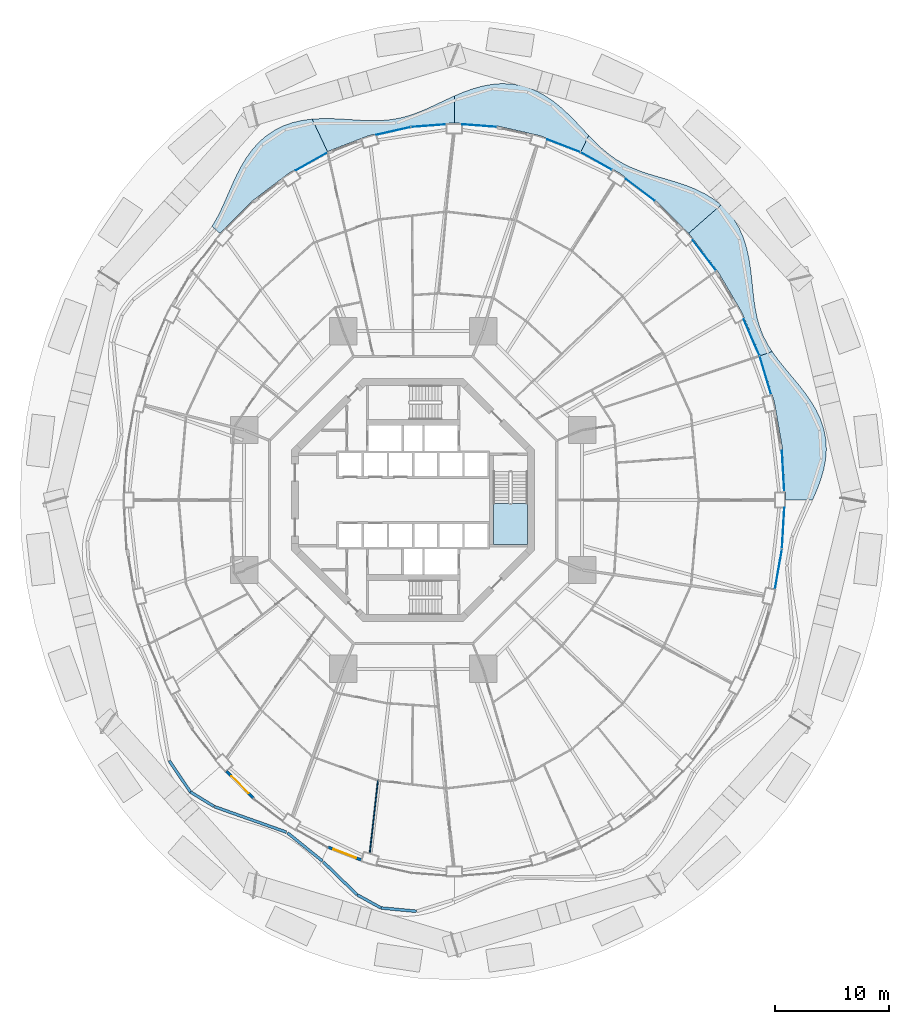
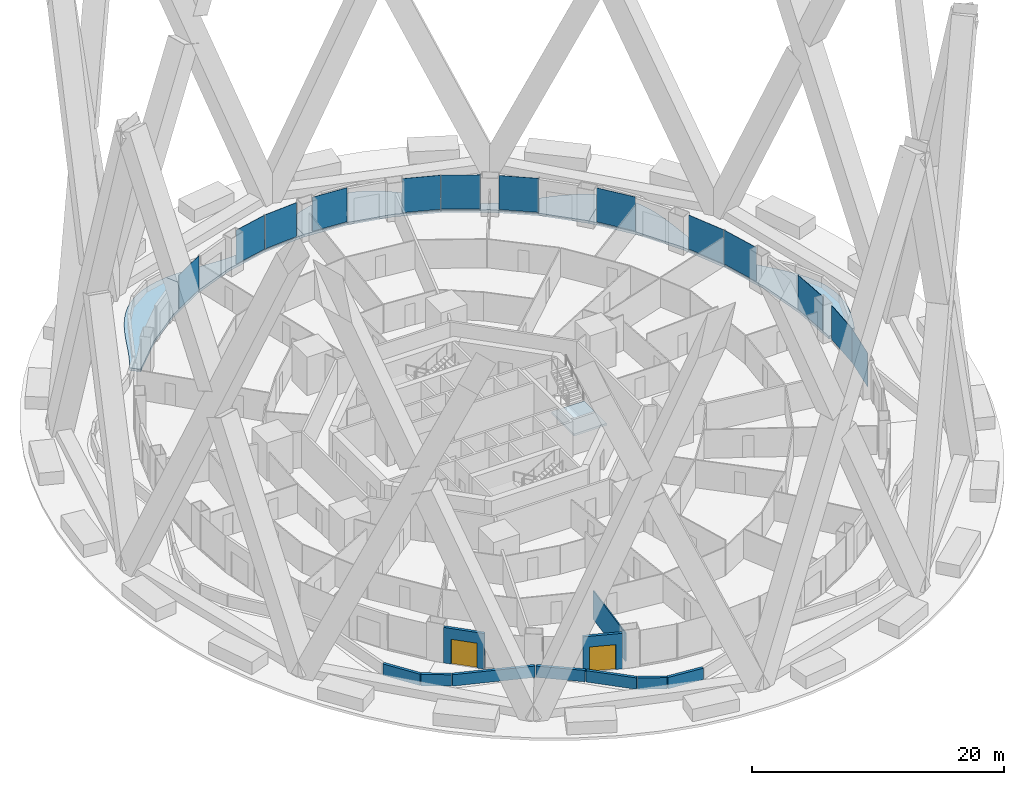
# One storey, part 33 of 42: 13 plates, 10 walls, 7 slabs, 2 doors, 2 openings, 14 elements without a shape of their own.
"""IFC4 building model written with IfcOpenShell, lengths in metres."""

from ifc_helpers import new_model, si_unit, direction, frame, frame_2d, origin, origin_2d, place, context, subcontext, project, spatial, polyline, rectangle, outline, extrude, material, layer, layer_set, type_object, element, fill, aggregate, save


model = new_model("IFC4")

# Units and contexts
model_context = context("Model", 3, precision=1e-05, world=origin(), true_north=direction((0.0, 1.0)))
body_context = subcontext(model_context, "Body", "Model", "MODEL_VIEW")
ifc_project = project(units=[si_unit("LENGTHUNIT", "METRE"), si_unit("AREAUNIT", "SQUARE_METRE"), si_unit("VOLUMEUNIT", "CUBIC_METRE"), si_unit("PLANEANGLEUNIT", "RADIAN"), si_unit("MASSUNIT", "GRAM", prefix="KILO")], contexts=[model_context])

# Site, building, storey
site_placement = place(None, origin())
site = spatial("IfcSite", under=ifc_project, at=site_placement, CompositionType="ELEMENT")
building_placement = place(site_placement, origin())
building = spatial("IfcBuilding", under=site, at=building_placement, Name="Nagisa Residences", CompositionType="ELEMENT")
storey_placement = place(building_placement, frame((0.0, 0.0, 27.0)))
storey = spatial("IfcBuildingStorey", under=building, at=storey_placement, Name="L05", CompositionType="ELEMENT", Elevation=27.0)

# Slabs
ifc_material_1 = material(Name="Concrete C40/50", Category="concrete")
ifc_layer_1 = layer(ifc_material_1, 0.25)
ifc_layer_set_1 = layer_set([ifc_layer_1], Name="BALCONY SLAB 250")
slab_type_1 = type_object("IfcSlabType", Name="BALCONY SLAB 250", PredefinedType="FLOOR", material=ifc_layer_set_1)
slab_1_placement = place(storey_placement, frame((0.0, 0.0, -0.25)))
element("IfcSlab", 1, at=slab_1_placement, inside=storey, type_object=slab_type_1, Name="slab:L05:bal00", PredefinedType="FLOOR", context=body_context, shape_type="SweptSolid", body=[
    extrude(outline(polyline([(34.949951171875, 0.0), (35.32568359375, 0.864013671875), (35.65673828125, 1.742919921875), (35.918701171875, 2.63330078125), (36.090576171875, 3.52978515625), (36.15673828125, 4.425537109375), (36.10693359375, 5.313720703125), (35.938720703125, 6.18701171875), (35.65576171875, 7.038818359375), (35.2685546875, 7.864501953125), (34.793701171875, 8.66162109375), (34.252197265625, 9.429443359375), (33.668212890625, 10.170654296875), (33.06787109375, 10.89013671875), (32.475830078125, 11.594970703125), (31.915771484375, 12.294189453125), (31.40673828125, 12.997802734375), (30.392578125, 12.628662109375), (31.61181640625, 8.541015625), (32.351806640625, 4.307373046875), (32.60009765625, 0.0), (34.949951171875, 0.0)])), origin(), (0.0, 0.0, 1.0), 0.25),
])
slab_2_placement = place(storey_placement, frame((0.0, 0.0, -0.25)))
element("IfcSlab", 2, at=slab_2_placement, inside=storey, type_object=slab_type_1, Name="slab:L05:bal01", PredefinedType="FLOOR", context=body_context, shape_type="SweptSolid", body=[
    extrude(outline(polyline([(31.40673828125, 12.997802734375), (30.975830078125, 13.69287109375), (30.614013671875, 14.40966796875), (30.3232421875, 15.155029296875), (30.099365234375, 15.93359375), (29.933349609375, 16.7470703125), (29.810791015625, 17.5947265625), (29.7138671875, 18.471923828125), (29.622314453125, 19.37060546875), (29.51513671875, 20.2802734375), (29.37109375, 21.1884765625), (29.171630859375, 22.08056640625), (28.900634765625, 22.942138671875), (28.546142578125, 23.758544921875), (28.1015625, 24.517578125), (27.565185546875, 25.20849609375), (26.940185546875, 25.824951171875), (24.106201171875, 23.33447265625), (26.607177734375, 20.089111328125), (28.71484375, 16.5), (30.392578125, 12.628662109375), (31.40673828125, 12.997802734375)])), origin(), (0.0, 0.0, 1.0), 0.25),
])
slab_3_placement = place(storey_placement, frame((0.0, 0.0, -0.25)))
element("IfcSlab", 3, at=slab_3_placement, inside=storey, type_object=slab_type_1, Name="slab:L05:bal02", PredefinedType="FLOOR", context=body_context, shape_type="SweptSolid", body=[
    extrude(outline(polyline([(26.940185546875, 25.824951171875), (26.26953125, 26.3408203125), (25.53662109375, 26.787841796875), (24.75439453125, 27.171142578125), (23.93798828125, 27.499267578125), (23.102783203125, 27.78369140625), (22.264404296875, 28.038818359375), (21.4365234375, 28.27978515625), (20.630859375, 28.52294921875), (19.8564453125, 28.7841796875), (19.119140625, 29.077392578125), (18.420654296875, 29.414306640625), (17.759765625, 29.803466796875), (17.131591796875, 30.2490234375), (16.529296875, 30.750732421875), (15.943115234375, 31.3037109375), (15.36279296875, 31.898681640625), (14.69775390625, 30.488037109375), (18.10009765625, 28.578857421875), (21.254150390625, 26.1806640625), (24.106201171875, 23.33447265625), (26.940185546875, 25.824951171875)])), origin(), (0.0, 0.0, 1.0), 0.25),
])
slab_4_placement = place(storey_placement, frame((0.0, 0.0, -0.25)))
element("IfcSlab", 4, at=slab_4_placement, inside=storey, type_object=slab_type_1, Name="slab:L05:bal03", PredefinedType="FLOOR", context=body_context, shape_type="SweptSolid", body=[
    extrude(outline(polyline([(15.36279296875, 31.898681640625), (14.798583984375, 32.49951171875), (14.22021484375, 33.11181640625), (13.619384765625, 33.71875), (12.98974609375, 34.30224609375), (12.32666015625, 34.84423828125), (11.62841796875, 35.326904296875), (10.89501953125, 35.7353515625), (10.12939453125, 36.05712890625), (9.336181640625, 36.283203125), (8.52197265625, 36.408935546875), (7.69384765625, 36.434326171875), (6.859619140625, 36.36376953125), (6.027099609375, 36.2060546875), (5.202880859375, 35.9736328125), (4.392578125, 35.682373046875), (3.60009765625, 35.35009765625), (3.60009765625, 33.0), (7.38525390625, 32.7177734375), (11.105712890625, 31.87548828125), (14.69775390625, 30.488037109375), (15.36279296875, 31.898681640625)])), origin(), (0.0, 0.0, 1.0), 0.25),
])
slab_5_placement = place(storey_placement, frame((0.0, 0.0, -0.25)))
element("IfcSlab", 5, at=slab_5_placement, inside=storey, type_object=slab_type_1, Name="slab:L05:bal04", PredefinedType="FLOOR", context=body_context, shape_type="SweptSolid", body=[
    extrude(outline(polyline([(3.60009765625, 35.35009765625), (2.82666015625, 34.99560546875), (2.072265625, 34.638427734375), (1.33447265625, 34.2958984375), (0.60888671875, 33.984375), (-0.10986328125, 33.716552734375), (-0.828125, 33.50146484375), (-1.552490234375, 33.34375), (-2.2890625, 33.243896484375), (-3.043212890625, 33.197509765625), (-3.818359375, 33.1962890625), (-4.615966796875, 33.228515625), (-5.435302734375, 33.279541015625), (-6.273681640625, 33.332275390625), (-7.125244140625, 33.36962890625), (-7.982666015625, 33.373779296875), (-8.836669921875, 33.32861328125), (-7.497802734375, 30.488037109375), (-3.90576171875, 31.87548828125), (-0.185302734375, 32.7177734375), (3.60009765625, 33.0), (3.60009765625, 35.35009765625)])), origin(), (0.0, 0.0, 1.0), 0.25),
])
slab_6_placement = place(storey_placement, frame((0.0, 0.0, -0.25)))
element("IfcSlab", 6, at=slab_6_placement, inside=storey, type_object=slab_type_1, Name="slab:L05:bal05", PredefinedType="FLOOR", context=body_context, shape_type="SweptSolid", body=[
    extrude(outline(polyline([(-8.836669921875, 33.32861328125), (-9.70849609375, 33.21484375), (-10.553955078125, 33.020263671875), (-11.361328125, 32.736328125), (-12.120849609375, 32.359619140625), (-12.82421875, 31.890380859375), (-13.466064453125, 31.334228515625), (-14.04443359375, 30.7001953125), (-14.560546875, 30.001220703125), (-15.01953125, 29.251953125), (-15.4296875, 28.4697265625), (-15.802490234375, 27.67138671875), (-16.1513671875, 26.87353515625), (-16.490966796875, 26.091064453125), (-16.836669921875, 25.336669921875), (-17.202880859375, 24.619873046875), (-17.6025390625, 23.946533203125), (-16.906005859375, 23.33447265625), (-14.05419921875, 26.1806640625), (-10.89990234375, 28.578857421875), (-7.497802734375, 30.488037109375), (-8.836669921875, 33.32861328125)])), origin(), (0.0, 0.0, 1.0), 0.25),
])

# Curtain wall, plate
ifc_material_2 = material(Name="Concrete-coloured aluminium curtain wall system", Category="concrete")
ifc_layer_2 = layer(ifc_material_2, 0.159912109375)
ifc_layer_set_2 = layer_set([ifc_layer_2], Name="CW1 CURTAIN WALL")
curtain_wall_type = type_object("IfcCurtainWallType", Name="CW1 CURTAIN WALL", PredefinedType="NOTDEFINED", material=ifc_layer_set_2)
curtain_wall_1_placement = place(storey_placement, origin())
curtain_wall_1 = element("IfcCurtainWall", 7, at=curtain_wall_1_placement, inside=storey, type_object=curtain_wall_type, Name="cw:CW1:L05:00", PredefinedType="NOTDEFINED")
ifc_material_3 = material(Name="Clear laminated glass", Category="glass")
ifc_layer_3 = layer(ifc_material_3, 0.028076171875)
ifc_layer_set_3 = layer_set([ifc_layer_3], Name="CW1 GLASS PANEL")
plate_type = type_object("IfcPlateType", Name="CW1 GLASS PANEL", PredefinedType="CURTAIN_PANEL", material=ifc_layer_set_3)
plate_1_placement = place(storey_placement, frame((32.374267578125, 2.528564453125, 0.14990234375), z_axis=(0.0, 0.0, 1.0), x_axis=(-0.057503492216, 0.998345305184, 0.0)))
plate_1 = element("IfcPlate", 8, at=plate_1_placement, type_object=plate_type, Name="CW1 panel", PredefinedType="CURTAIN_PANEL", context=body_context, shape_type="SweptSolid", body=[
    extrude(rectangle(XDim=3.554443359375, YDim=0.028076171875, at=origin_2d()), origin(), (0.0, 0.0, 1.0), 3.2900390625),
])
aggregate(curtain_wall_1, [plate_1])

curtain_wall_2_placement = place(storey_placement, origin())
curtain_wall_2 = element("IfcCurtainWall", 9, at=curtain_wall_2_placement, inside=storey, type_object=curtain_wall_type, Name="cw:CW1:L05:02", PredefinedType="NOTDEFINED")
plate_2_placement = place(storey_placement, frame((30.81689453125, 10.926025390625, 0.14990234375), z_axis=(0.0, 0.0, 1.0), x_axis=(-0.285860274038, 0.958271310082, 0.0)))
plate_2 = element("IfcPlate", 10, at=plate_2_placement, type_object=plate_type, Name="CW1 panel", PredefinedType="CURTAIN_PANEL", context=body_context, shape_type="SweptSolid", body=[
    extrude(rectangle(XDim=3.505615234375, YDim=0.028076171875, at=origin_2d()), origin(), (0.0, 0.0, 1.0), 3.2900390625),
])
aggregate(curtain_wall_2, [plate_2])

curtain_wall_3_placement = place(storey_placement, origin())
curtain_wall_3 = element("IfcCurtainWall", 11, at=curtain_wall_3_placement, inside=storey, type_object=curtain_wall_type, Name="cw:CW1:L05:03", PredefinedType="NOTDEFINED")
plate_3_placement = place(storey_placement, frame((29.607421875, 14.23876953125, 0.14990234375), z_axis=(0.0, 0.0, 1.0), x_axis=(-0.397635934147, 0.917543276295, 0.0)))
plate_3 = element("IfcPlate", 12, at=plate_3_placement, type_object=plate_type, Name="CW1 panel", PredefinedType="CURTAIN_PANEL", context=body_context, shape_type="SweptSolid", body=[
    extrude(rectangle(XDim=3.45947265625, YDim=0.028076171875, at=origin_2d()), origin(), (0.0, 0.0, 1.0), 3.2900390625),
])
aggregate(curtain_wall_3, [plate_3])

curtain_wall_4_placement = place(storey_placement, origin())
curtain_wall_4 = element("IfcCurtainWall", 13, at=curtain_wall_4_placement, inside=storey, type_object=curtain_wall_type, Name="cw:CW1:L05:05", PredefinedType="NOTDEFINED")
plate_4_placement = place(storey_placement, frame((25.488525390625, 21.409423828125, 0.14990234375), z_axis=(0.0, 0.0, 1.0), x_axis=(-0.610429828235, 0.792070340816, 0.0)))
plate_4 = element("IfcPlate", 14, at=plate_4_placement, type_object=plate_type, Name="CW1 panel", PredefinedType="CURTAIN_PANEL", context=body_context, shape_type="SweptSolid", body=[
    extrude(rectangle(XDim=3.33740234375, YDim=0.028076171875, at=origin_2d()), origin(), (0.0, 0.0, 1.0), 3.2900390625),
])
aggregate(curtain_wall_4, [plate_4])

curtain_wall_5_placement = place(storey_placement, origin())
curtain_wall_5 = element("IfcCurtainWall", 15, at=curtain_wall_5_placement, inside=storey, type_object=curtain_wall_type, Name="cw:CW1:L05:07", PredefinedType="NOTDEFINED")
plate_5_placement = place(storey_placement, frame((19.88330078125, 27.122314453125, 0.14990234375), z_axis=(0.0, 0.0, 1.0), x_axis=(-0.79603132756, 0.605255421737, 0.0)))
plate_5 = element("IfcPlate", 16, at=plate_5_placement, type_object=plate_type, Name="CW1 panel", PredefinedType="CURTAIN_PANEL", context=body_context, shape_type="SweptSolid", body=[
    extrude(rectangle(XDim=3.2021484375, YDim=0.028076171875, at=origin_2d()), origin(), (0.0, 0.0, 1.0), 3.2900390625),
])
aggregate(curtain_wall_5, [plate_5])

curtain_wall_6_placement = place(storey_placement, origin())
curtain_wall_6 = element("IfcCurtainWall", 17, at=curtain_wall_6_placement, inside=storey, type_object=curtain_wall_type, Name="cw:CW1:L05:08", PredefinedType="NOTDEFINED")
plate_6_placement = place(storey_placement, frame((16.0283203125, 29.649658203125, 0.14990234375), z_axis=(0.0, 0.0, 1.0), x_axis=(-0.872072377523, 0.489376918501, 0.0)))
plate_6 = element("IfcPlate", 18, at=plate_6_placement, type_object=plate_type, Name="CW1 panel", PredefinedType="CURTAIN_PANEL", context=body_context, shape_type="SweptSolid", body=[
    extrude(rectangle(XDim=3.141357421875, YDim=0.028076171875, at=origin_2d()), origin(), (0.0, 0.0, 1.0), 3.2900390625),
])
aggregate(curtain_wall_6, [plate_6])

curtain_wall_7_placement = place(storey_placement, origin())
curtain_wall_7 = element("IfcCurtainWall", 19, at=curtain_wall_7_placement, inside=storey, type_object=curtain_wall_type, Name="cw:CW1:L05:09", PredefinedType="NOTDEFINED")
plate_7_placement = place(storey_placement, frame((13.17138671875, 30.991943359375, 0.14990234375), z_axis=(0.0, 0.0, 1.0), x_axis=(-0.932825759707, 0.360327770268, 0.0)))
plate_7 = element("IfcPlate", 20, at=plate_7_placement, type_object=plate_type, Name="CW1 panel", PredefinedType="CURTAIN_PANEL", context=body_context, shape_type="SweptSolid", body=[
    extrude(rectangle(XDim=3.0908203125, YDim=0.028076171875, at=origin_2d()), origin(), (0.0, 0.0, 1.0), 3.2900390625),
])
aggregate(curtain_wall_7, [plate_7])

curtain_wall_8_placement = place(storey_placement, origin())
curtain_wall_8 = element("IfcCurtainWall", 21, at=curtain_wall_8_placement, inside=storey, type_object=curtain_wall_type, Name="cw:CW1:L05:11", PredefinedType="NOTDEFINED")
plate_8_placement = place(storey_placement, frame((5.805908203125, 32.75537109375, 0.14990234375), z_axis=(0.0, 0.0, 1.0), x_axis=(-0.997230168512, 0.074377355493, 0.0)))
plate_8 = element("IfcPlate", 22, at=plate_8_placement, type_object=plate_type, Name="CW1 panel", PredefinedType="CURTAIN_PANEL", context=body_context, shape_type="SweptSolid", body=[
    extrude(rectangle(XDim=3.035888671875, YDim=0.028076171875, at=origin_2d()), origin(), (0.0, 0.0, 1.0), 3.2900390625),
])
aggregate(curtain_wall_8, [plate_8])

curtain_wall_9_placement = place(storey_placement, origin())
curtain_wall_9 = element("IfcCurtainWall", 23, at=curtain_wall_9_placement, inside=storey, type_object=curtain_wall_type, Name="cw:CW1:L05:12", PredefinedType="NOTDEFINED")
plate_9_placement = place(storey_placement, frame((1.33447265625, 32.750732421875, 0.14990234375), z_axis=(0.0, 0.0, 1.0), x_axis=(-0.997230168512, -0.074377355493, 0.0)))
plate_9 = element("IfcPlate", 24, at=plate_9_placement, type_object=plate_type, Name="CW1 panel", PredefinedType="CURTAIN_PANEL", context=body_context, shape_type="SweptSolid", body=[
    extrude(rectangle(XDim=3.035888671875, YDim=0.028076171875, at=origin_2d()), origin(), (0.0, 0.0, 1.0), 3.2900390625),
])
aggregate(curtain_wall_9, [plate_9])

curtain_wall_10_placement = place(storey_placement, origin())
curtain_wall_10 = element("IfcCurtainWall", 25, at=curtain_wall_10_placement, inside=storey, type_object=curtain_wall_type, Name="cw:CW1:L05:13", PredefinedType="NOTDEFINED")
plate_10_placement = place(storey_placement, frame((-1.7158203125, 32.289306640625, 0.14990234375), z_axis=(0.0, 0.0, 1.0), x_axis=(-0.975327274089, -0.2207639201, 0.0)))
plate_10 = element("IfcPlate", 26, at=plate_10_placement, type_object=plate_type, Name="CW1 panel", PredefinedType="CURTAIN_PANEL", context=body_context, shape_type="SweptSolid", body=[
    extrude(rectangle(XDim=3.0546875, YDim=0.028076171875, at=origin_2d()), origin(), (0.0, 0.0, 1.0), 3.2900390625),
])
aggregate(curtain_wall_10, [plate_10])

curtain_wall_11_placement = place(storey_placement, origin())
curtain_wall_11 = element("IfcCurtainWall", 27, at=curtain_wall_11_placement, inside=storey, type_object=curtain_wall_type, Name="cw:CW1:L05:15", PredefinedType="NOTDEFINED")
plate_11_placement = place(storey_placement, frame((-8.880615234375, 29.620361328125, 0.14990234375), z_axis=(0.0, 0.0, 1.0), x_axis=(-0.872072377523, -0.489376918501, 0.0)))
plate_11 = element("IfcPlate", 28, at=plate_11_placement, type_object=plate_type, Name="CW1 panel", PredefinedType="CURTAIN_PANEL", context=body_context, shape_type="SweptSolid", body=[
    extrude(rectangle(XDim=3.141357421875, YDim=0.028076171875, at=origin_2d()), origin(), (0.0, 0.0, 1.0), 3.2900390625),
])
aggregate(curtain_wall_11, [plate_11])

curtain_wall_12_placement = place(storey_placement, origin())
curtain_wall_12 = element("IfcCurtainWall", 29, at=curtain_wall_12_placement, inside=storey, type_object=curtain_wall_type, Name="cw:CW1:L05:46", PredefinedType="NOTDEFINED")
plate_12_placement = place(storey_placement, frame((31.968505859375, -6.0361328125, 0.14990234375), z_axis=(0.0, 0.0, 1.0), x_axis=(0.172190868898, 0.985063604377, 0.0)))
plate_12 = element("IfcPlate", 30, at=plate_12_placement, type_object=plate_type, Name="CW1 panel", PredefinedType="CURTAIN_PANEL", context=body_context, shape_type="SweptSolid", body=[
    extrude(rectangle(XDim=3.537841796875, YDim=0.028076171875, at=origin_2d()), origin(), (0.0, 0.0, 1.0), 3.2900390625),
])
aggregate(curtain_wall_12, [plate_12])

curtain_wall_13_placement = place(storey_placement, origin())
curtain_wall_13 = element("IfcCurtainWall", 31, at=curtain_wall_13_placement, inside=storey, type_object=curtain_wall_type, Name="cw:CW1:L05:47", PredefinedType="NOTDEFINED")
plate_13_placement = place(storey_placement, frame((32.377685546875, -2.468505859375, 0.14990234375), z_axis=(0.0, 0.0, 1.0), x_axis=(0.057503492216, 0.998345305184, 0.0)))
plate_13 = element("IfcPlate", 32, at=plate_13_placement, type_object=plate_type, Name="CW1 panel", PredefinedType="CURTAIN_PANEL", context=body_context, shape_type="SweptSolid", body=[
    extrude(rectangle(XDim=3.554443359375, YDim=0.028076171875, at=origin_2d()), origin(), (0.0, 0.0, 1.0), 3.2900390625),
])
aggregate(curtain_wall_13, [plate_13])

# Stair, slab
ifc_material_4 = material(Name="Concrete C60", Category="concrete")
stair_type = type_object("IfcStairType", Name="Exit stair", PredefinedType="HALF_TURN_STAIR", material=ifc_material_4)
stair_placement = place(storey_placement, origin())
stair = element("IfcStair", 33, at=stair_placement, inside=storey, type_object=stair_type, Name="L05 Exit stair E", PredefinedType="HALF_TURN_STAIR")
ifc_material_5 = material(Name="Concrete C60", Category="concrete")
ifc_layer_4 = layer(ifc_material_5, 0.199951171875)
ifc_layer_set_4 = layer_set([ifc_layer_4], Name="Stair landing")
slab_type_2 = type_object("IfcSlabType", Name="Stair landing", PredefinedType="LANDING", material=ifc_layer_set_4)
slab_7_placement = place(storey_placement, frame((0.0, 0.0, 1.64990234375)))
slab_7 = element("IfcSlab", 34, at=slab_7_placement, type_object=slab_type_2, Name="ST-E landing 1", PredefinedType="LANDING", context=body_context, shape_type="SweptSolid", body=[
    extrude(outline(polyline([(7.024658203125, -0.324951171875), (7.024658203125, -3.89990234375), (10.024658203125, -3.89990234375), (10.024658203125, -0.324951171875), (7.024658203125, -0.324951171875)])), origin(), (0.0, 0.0, 1.0), 0.2001953125),
])
aggregate(stair, [slab_7])

# Wall
ifc_material_6 = material(Name="Gypsum board on steel studs", Category="steel")
ifc_layer_5 = layer(ifc_material_6, 0.10009765625)
ifc_layer_set_5 = layer_set([ifc_layer_5], Name="Apartment partition 100")
wall_type_1 = type_object("IfcWallType", Name="Apartment partition 100", PredefinedType="PARTITIONING", material=ifc_layer_set_5)
wall_1_placement = place(storey_placement, frame((-3.0751953125, -24.48779296875, 0.0), z_axis=(0.0, 0.0, 1.0), x_axis=(-0.111705235978, -0.993741384997, 0.0)))
element("IfcWall", 35, at=wall_1_placement, inside=storey, type_object=wall_type_1, Name="wall:L05:u73", PredefinedType="PARTITIONING", context=body_context, shape_type="SweptSolid", body=[
    extrude(rectangle(XDim=6.39501953125, YDim=0.10009765625, at=frame_2d((3.197509765625, 0.0))), origin(), (0.0, 0.0, 1.0), 2.756103515625),
])

# Wall, opening, door
ifc_material_7 = material(Name="Precast concrete C40/50", Category="concrete")
ifc_layer_6 = layer(ifc_material_7, 0.25)
ifc_layer_set_6 = layer_set([ifc_layer_6], Name="BALCONY DOOR WALL 250")
wall_type_2 = type_object("IfcWallType", Name="BALCONY DOOR WALL 250", PredefinedType="SOLIDWALL", material=ifc_layer_set_6)
wall_2_placement = place(storey_placement, frame((-13.9658203125, -26.09228515625, 0.0), z_axis=(0.0, 0.0, 1.0), x_axis=(-0.707803094595, 0.706409781417, 0.0)))
wall_2 = element("IfcWall", 36, at=wall_2_placement, inside=storey, type_object=wall_type_2, Name="wall:L05:bay30", PredefinedType="SOLIDWALL", context=body_context, shape_type="SweptSolid", body=[
    extrude(rectangle(XDim=3.329345703125, YDim=0.25, at=frame_2d((1.66455078125, 0.0))), origin(), (0.0, 0.0, 1.0), 3.43994140625),
])
opening_1_placement = place(wall_2_placement, frame((0.614501953125, 0.0, 0.0)))
opening_1 = element("IfcOpeningElement", 37, at=opening_1_placement, cuts=wall_2, Name="Opening BD-L05-11", PredefinedType="OPENING", context=body_context, shape_type="SweptSolid", body=[
    extrude(rectangle(XDim=2.10009765625, YDim=2.39990234375, at=frame_2d((1.050048828125, 1.199951171875))), frame((0.0, 0.135009765625, 0.0), z_axis=(0.0, -1.0, 0.0), x_axis=(1.0, 0.0, 0.0)), (0.0, 0.0, 1.0), 0.27001953125),
])
ifc_material_8 = material(Name="Aluminium and clear glass", Category="aluminium")
door_type = type_object("IfcDoorType", Name="BALCONY SLIDING DOOR 2100x2400", OperationType="SLIDING_TO_LEFT", PredefinedType="DOOR", material=ifc_material_8)
door_1_placement = place(opening_1_placement, origin())
door_1 = element("IfcDoor", 38, at=door_1_placement, inside=storey, type_object=door_type, Name="door:L05:bay30", OperationType="SLIDING_TO_LEFT", OverallHeight=2.39990234375, OverallWidth=2.10009765625, PredefinedType="DOOR", context=body_context, shape_type="SweptSolid", body=[
    extrude(rectangle(XDim=2.10009765625, YDim=2.39990234375, at=frame_2d((1.050048828125, 1.199951171875))), frame((0.0, 0.02490234375, 0.0), z_axis=(0.0, -1.0, 0.0), x_axis=(1.0, 0.0, 0.0)), (0.0, 0.0, 1.0), 0.050048828125),
])
fill(opening_1, door_1)

wall_3_placement = place(storey_placement, frame((-4.513671875, -31.5068359375, 0.0), z_axis=(0.0, 0.0, 1.0), x_axis=(-0.932809381943, 0.360370166577, 0.0)))
wall_3 = element("IfcWall", 39, at=wall_3_placement, inside=storey, type_object=wall_type_2, Name="wall:L05:bay33", PredefinedType="SOLIDWALL", context=body_context, shape_type="SweptSolid", body=[
    extrude(rectangle(XDim=3.15087890625, YDim=0.25, at=frame_2d((1.575439453125, 0.0))), origin(), (0.0, 0.0, 1.0), 3.43994140625),
])
opening_2_placement = place(wall_3_placement, frame((0.525390625, 0.0, 0.0)))
opening_2 = element("IfcOpeningElement", 40, at=opening_2_placement, cuts=wall_3, Name="Opening BD-L05-12", PredefinedType="OPENING", context=body_context, shape_type="SweptSolid", body=[
    extrude(rectangle(XDim=2.10009765625, YDim=2.39990234375, at=frame_2d((1.050048828125, 1.199951171875))), frame((0.0, 0.135009765625, 0.0), z_axis=(0.0, -1.0, 0.0), x_axis=(1.0, 0.0, 0.0)), (0.0, 0.0, 1.0), 0.27001953125),
])
door_2_placement = place(opening_2_placement, origin())
door_2 = element("IfcDoor", 41, at=door_2_placement, inside=storey, type_object=door_type, Name="door:L05:bay33", OperationType="SLIDING_TO_LEFT", OverallHeight=2.39990234375, OverallWidth=2.10009765625, PredefinedType="DOOR", context=body_context, shape_type="SweptSolid", body=[
    extrude(rectangle(XDim=2.10009765625, YDim=2.39990234375, at=frame_2d((1.050048828125, 1.199951171875))), frame((0.0, 0.02490234375, 0.0), z_axis=(0.0, -1.0, 0.0), x_axis=(1.0, 0.0, 0.0)), (0.0, 0.0, 1.0), 0.050048828125),
])
fill(opening_2, door_2)

# Walls
ifc_material_9 = material(Name="Precast concrete C40/50", Category="concrete")
ifc_layer_7 = layer(ifc_material_9, 0.25)
ifc_layer_set_7 = layer_set([ifc_layer_7], Name="PARAPET 250")
wall_type_3 = type_object("IfcWallType", Name="PARAPET 250", PredefinedType="PARAPET", material=ifc_layer_set_7)
wall_4_placement = place(storey_placement, frame((-21.340087890625, -22.817626953125, 0.0), z_axis=(0.0, 0.0, 1.0), x_axis=(0.56093486479, -0.827859938312, 0.0)))
element("IfcWall", 42, at=wall_4_placement, inside=storey, type_object=wall_type_3, Name="parapet:L05:bal09-0-02", PredefinedType="PARAPET", context=body_context, shape_type="SweptSolid", body=[
    extrude(rectangle(XDim=3.299072265625, YDim=0.25, at=frame_2d((1.6494140625, 0.0))), origin(), (0.0, 0.0, 1.0), 1.10009765625),
])
wall_5_placement = place(storey_placement, frame((-19.49072265625, -25.544677734375, 0.0), z_axis=(0.0, 0.0, 1.0), x_axis=(0.852196394013, -0.523222042761, 0.0)))
element("IfcWall", 43, at=wall_5_placement, inside=storey, type_object=wall_type_3, Name="parapet:L05:bal10-0-00", PredefinedType="PARAPET", context=body_context, shape_type="SweptSolid", body=[
    extrude(rectangle(XDim=2.42822265625, YDim=0.25, at=frame_2d((1.214111328125, 0.0))), origin(), (0.0, 0.0, 1.0), 1.10009765625),
])
wall_6_placement = place(storey_placement, frame((-17.373046875, -26.838134765625, 0.0), z_axis=(0.0, 0.0, 1.0), x_axis=(0.94252427227, -0.334137690453, 0.0)))
element("IfcWall", 44, at=wall_6_placement, inside=storey, type_object=wall_type_3, Name="parapet:L05:bal10-0-01", PredefinedType="PARAPET", context=body_context, shape_type="SweptSolid", body=[
    extrude(rectangle(XDim=6.656982421875, YDim=0.25, at=frame_2d((3.32861328125, 0.0))), origin(), (0.0, 0.0, 1.0), 1.10009765625),
])
wall_7_placement = place(storey_placement, frame((-10.992919921875, -29.121826171875, 0.0), z_axis=(0.0, 0.0, 1.0), x_axis=(0.777298307168, -0.62913221319, 0.0)))
element("IfcWall", 45, at=wall_7_placement, inside=storey, type_object=wall_type_3, Name="parapet:L05:bal10-0-02", PredefinedType="PARAPET", context=body_context, shape_type="SweptSolid", body=[
    extrude(rectangle(XDim=3.9365234375, YDim=0.25, at=frame_2d((1.96826171875, 0.0))), origin(), (0.0, 0.0, 1.0), 1.10009765625),
])
wall_8_placement = place(storey_placement, frame((-7.8662109375, -31.6669921875, 0.0), z_axis=(0.0, 0.0, 1.0), x_axis=(0.717813068458, -0.696235878672, 0.0)))
element("IfcWall", 46, at=wall_8_placement, inside=storey, type_object=wall_type_3, Name="parapet:L05:bal11-0-00", PredefinedType="PARAPET", context=body_context, shape_type="SweptSolid", body=[
    extrude(rectangle(XDim=4.107177734375, YDim=0.25, at=frame_2d((2.0537109375, 0.0))), origin(), (0.0, 0.0, 1.0), 1.10009765625),
])
wall_9_placement = place(storey_placement, frame((-4.880859375, -34.55419921875, 0.0), z_axis=(0.0, 0.0, 1.0), x_axis=(0.875309718776, -0.483562711772, 0.0)))
element("IfcWall", 47, at=wall_9_placement, inside=storey, type_object=wall_type_3, Name="parapet:L05:bal11-0-01", PredefinedType="PARAPET", context=body_context, shape_type="SweptSolid", body=[
    extrude(rectangle(XDim=2.353271484375, YDim=0.25, at=frame_2d((1.1767578125, 0.0))), origin(), (0.0, 0.0, 1.0), 1.10009765625),
])
wall_10_placement = place(storey_placement, frame((-2.794921875, -35.7001953125, 0.0), z_axis=(0.0, 0.0, 1.0), x_axis=(0.995657166599, -0.093095685183, 0.0)))
element("IfcWall", 48, at=wall_10_placement, inside=storey, type_object=wall_type_3, Name="parapet:L05:bal11-0-02", PredefinedType="PARAPET", context=body_context, shape_type="SweptSolid", body=[
    extrude(rectangle(XDim=3.086669921875, YDim=0.25, at=frame_2d((1.54345703125, 0.0))), origin(), (0.0, 0.0, 1.0), 1.10009765625),
])

save(model, "model.ifc")
